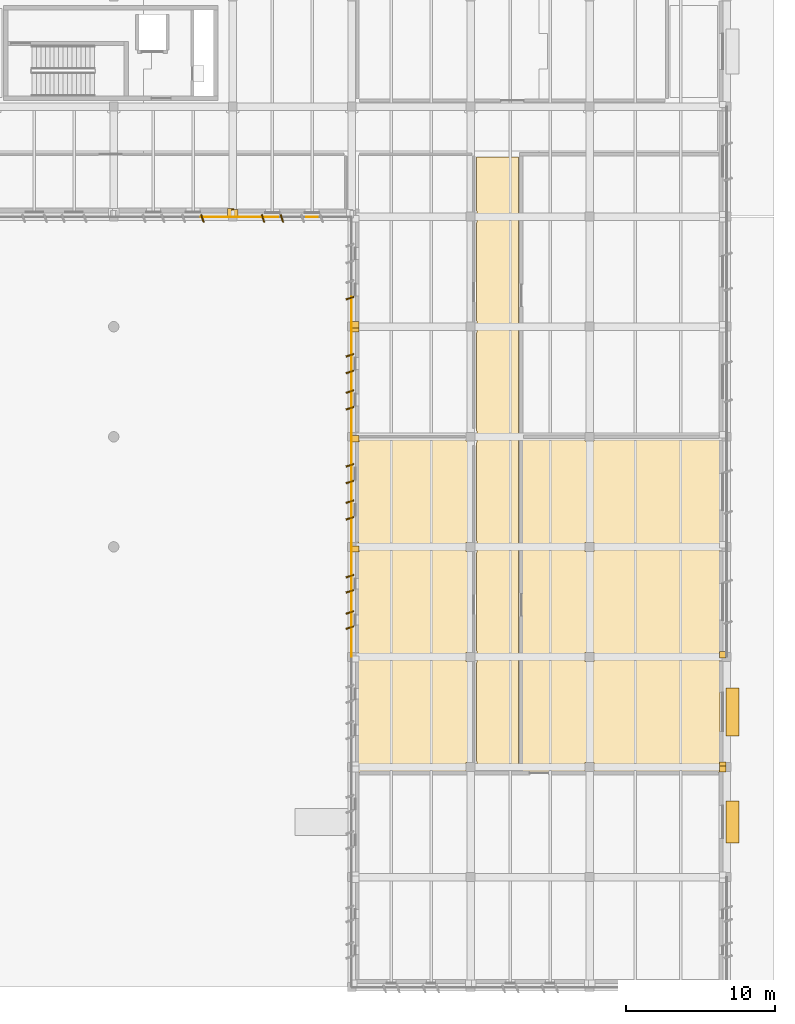
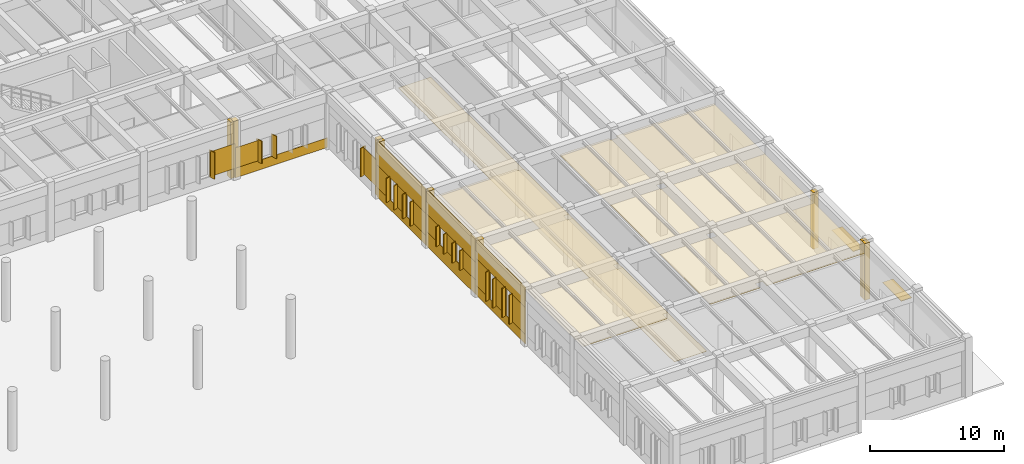
# One storey, part 53 of 56: 47 coverings, 2 shading devices.
"""IFC4 building model written with IfcOpenShell, lengths in metres."""

from ifc_helpers import new_model, si_unit, direction, frame, frame_2d, origin, origin_2d, place, context, subcontext, project, spatial, polyline, rectangle, outline, extrude, material, layer, layer_set, type_object, element, save


model = new_model("IFC4")

# Units and contexts
model_context = context("Model", 3, precision=1e-05, world=origin(), true_north=direction((0.0, 1.0)))
body_context = subcontext(model_context, "Body", "Model", "MODEL_VIEW")
ifc_project = project(units=[si_unit("LENGTHUNIT", "METRE"), si_unit("AREAUNIT", "SQUARE_METRE"), si_unit("VOLUMEUNIT", "CUBIC_METRE"), si_unit("PLANEANGLEUNIT", "RADIAN"), si_unit("MASSUNIT", "GRAM", prefix="KILO")], contexts=[model_context])

# Site, building, storey
site_placement = place(None, origin())
site = spatial("IfcSite", under=ifc_project, at=site_placement, CompositionType="ELEMENT")
building_placement = place(site_placement, origin())
building = spatial("IfcBuilding", under=site, at=building_placement, Name="Valkorina Park Police Headquarters", CompositionType="ELEMENT")
storey_placement = place(building_placement, origin())
storey = spatial("IfcBuildingStorey", under=building, at=storey_placement, Name="L01", CompositionType="ELEMENT", Elevation=0.0)

# Coverings
ifc_material_1 = material(Name="Acoustic mineral board")
ifc_layer_1 = layer(ifc_material_1, 0.02490234375)
ifc_layer_set_1 = layer_set([ifc_layer_1], Name="Acoustic mineral board")
covering_type_1 = type_object("IfcCoveringType", Name="COV-CEILING-ACOUST", PredefinedType="CEILING", material=ifc_layer_set_1)
covering_1_placement = place(storey_placement, frame((0.0, 0.0, 4.280029296875)))
element("IfcCovering", 1, at=covering_1_placement, inside=storey, type_object=covering_type_1, Name="Firearms Microscopy Laboratory Acoustic Suspended Ceiling", PredefinedType="CEILING", context=body_context, shape_type="SweptSolid", body=[
    extrude(outline(polyline([(144.95849609375, 37.324462890625), (144.959716796875, 37.332275390625), (144.9599609375, 37.340087890625), (144.9599609375, 44.06005859375), (144.959716796875, 44.06787109375), (144.95849609375, 44.07568359375), (144.95654296875, 44.083251953125), (144.953857421875, 44.090576171875), (144.95068359375, 44.09765625), (144.94921875, 44.10009765625), (144.5, 44.10009765625), (144.5, 44.34912109375), (144.497802734375, 44.3505859375), (144.490478515625, 44.35400390625), (144.483154296875, 44.356689453125), (144.4755859375, 44.3583984375), (144.4677734375, 44.359619140625), (144.4599609375, 44.360107421875), (137.320068359375, 44.360107421875), (137.312255859375, 44.359619140625), (137.304443359375, 44.3583984375), (137.296875, 44.356689453125), (137.289306640625, 44.35400390625), (137.2822265625, 44.3505859375), (137.275634765625, 44.346435546875), (137.269287109375, 44.341796875), (137.263427734375, 44.336669921875), (137.25830078125, 44.330810546875), (137.25341796875, 44.324462890625), (137.24951171875, 44.317626953125), (137.24609375, 44.310546875), (137.243408203125, 44.30322265625), (137.241455078125, 44.295654296875), (137.240478515625, 44.287841796875), (137.239990234375, 44.280029296875), (137.239990234375, 21.919921875), (137.240478515625, 21.912109375), (137.241455078125, 21.904296875), (137.243408203125, 21.896728515625), (137.24609375, 21.889404296875), (137.24951171875, 21.88232421875), (137.25341796875, 21.87548828125), (137.25830078125, 21.869140625), (137.263427734375, 21.86328125), (137.269287109375, 21.858154296875), (137.275634765625, 21.853515625), (137.2822265625, 21.849365234375), (137.289306640625, 21.84619140625), (137.296875, 21.843505859375), (137.304443359375, 21.841552734375), (137.312255859375, 21.84033203125), (137.320068359375, 21.840087890625), (144.4599609375, 21.840087890625), (144.4677734375, 21.84033203125), (144.4755859375, 21.841552734375), (144.483154296875, 21.843505859375), (144.490478515625, 21.84619140625), (144.497802734375, 21.849365234375), (144.50439453125, 21.853515625), (144.5107421875, 21.858154296875), (144.5166015625, 21.86328125), (144.521728515625, 21.869140625), (144.526611328125, 21.87548828125), (144.530517578125, 21.88232421875), (144.533935546875, 21.889404296875), (144.53662109375, 21.896728515625), (144.537353515625, 21.89990234375), (144.5, 21.89990234375), (144.5, 22.5), (144.94921875, 22.5), (144.95068359375, 22.502197265625), (144.953857421875, 22.509521484375), (144.95654296875, 22.516845703125), (144.95849609375, 22.5244140625), (144.959716796875, 22.5322265625), (144.9599609375, 22.5400390625), (144.9599609375, 29.260009765625), (144.959716796875, 29.267822265625), (144.95849609375, 29.275634765625), (144.95654296875, 29.283203125), (144.953857421875, 29.29052734375), (144.95068359375, 29.297607421875), (144.94921875, 29.300048828125), (144.5, 29.300048828125), (144.5, 29.89990234375), (144.94921875, 29.89990234375), (144.95068359375, 29.90234375), (144.953857421875, 29.909423828125), (144.95654296875, 29.916748046875), (144.95849609375, 29.92431640625), (144.959716796875, 29.93212890625), (144.9599609375, 29.93994140625), (144.9599609375, 36.659912109375), (144.959716796875, 36.667724609375), (144.95849609375, 36.675537109375), (144.95654296875, 36.68310546875), (144.953857421875, 36.690673828125), (144.95068359375, 36.69775390625), (144.94921875, 36.699951171875), (144.5, 36.699951171875), (144.5, 37.300048828125), (144.94921875, 37.300048828125), (144.95068359375, 37.30224609375), (144.953857421875, 37.309326171875), (144.95654296875, 37.31689453125), (144.95849609375, 37.324462890625)])), origin(), (0.0, 0.0, 1.0), 0.02490234375),
])
covering_2_placement = place(storey_placement, frame((0.0, 0.0, 4.280029296875)))
element("IfcCovering", 2, at=covering_2_placement, inside=storey, type_object=covering_type_1, Name="High-Density Forensic Evidence Vault 1 Acoustic Suspended Ceiling", PredefinedType="CEILING", context=body_context, shape_type="SweptSolid", body=[
    extrude(outline(polyline([(161.55859375, 21.904296875), (161.5595703125, 21.912109375), (161.56005859375, 21.919921875), (161.56005859375, 44.280029296875), (161.5595703125, 44.287841796875), (161.55859375, 44.295654296875), (161.556640625, 44.30322265625), (161.553955078125, 44.310546875), (161.550537109375, 44.317626953125), (161.54638671875, 44.324462890625), (161.541748046875, 44.330810546875), (161.53662109375, 44.336669921875), (161.53076171875, 44.341796875), (161.5244140625, 44.346435546875), (161.517578125, 44.3505859375), (161.510498046875, 44.35400390625), (161.503173828125, 44.356689453125), (161.49560546875, 44.3583984375), (161.48779296875, 44.359619140625), (161.47998046875, 44.360107421875), (153.139892578125, 44.360107421875), (153.132080078125, 44.359619140625), (153.12451171875, 44.3583984375), (153.11669921875, 44.356689453125), (153.109375, 44.35400390625), (153.102294921875, 44.3505859375), (153.10009765625, 44.34912109375), (153.10009765625, 44.10009765625), (152.5, 44.10009765625), (152.5, 44.34912109375), (152.497802734375, 44.3505859375), (152.490478515625, 44.35400390625), (152.483154296875, 44.356689453125), (152.4755859375, 44.3583984375), (152.4677734375, 44.359619140625), (152.4599609375, 44.360107421875), (148.320068359375, 44.360107421875), (148.312255859375, 44.359619140625), (148.304443359375, 44.3583984375), (148.296875, 44.356689453125), (148.289306640625, 44.35400390625), (148.2822265625, 44.3505859375), (148.275634765625, 44.346435546875), (148.269287109375, 44.341796875), (148.263427734375, 44.336669921875), (148.25830078125, 44.330810546875), (148.25341796875, 44.324462890625), (148.24951171875, 44.317626953125), (148.24609375, 44.310546875), (148.243408203125, 44.30322265625), (148.241455078125, 44.295654296875), (148.240478515625, 44.287841796875), (148.239990234375, 44.280029296875), (148.239990234375, 21.919921875), (148.240478515625, 21.912109375), (148.241455078125, 21.904296875), (148.243408203125, 21.896728515625), (148.24609375, 21.889404296875), (148.24951171875, 21.88232421875), (148.25341796875, 21.87548828125), (148.25830078125, 21.869140625), (148.263427734375, 21.86328125), (148.269287109375, 21.858154296875), (148.275634765625, 21.853515625), (148.2822265625, 21.849365234375), (148.289306640625, 21.84619140625), (148.296875, 21.843505859375), (148.304443359375, 21.841552734375), (148.312255859375, 21.84033203125), (148.320068359375, 21.840087890625), (152.4599609375, 21.840087890625), (152.4677734375, 21.84033203125), (152.4755859375, 21.841552734375), (152.483154296875, 21.843505859375), (152.490478515625, 21.84619140625), (152.497802734375, 21.849365234375), (152.50439453125, 21.853515625), (152.5107421875, 21.858154296875), (152.5166015625, 21.86328125), (152.521728515625, 21.869140625), (152.526611328125, 21.87548828125), (152.530517578125, 21.88232421875), (152.533935546875, 21.889404296875), (152.53662109375, 21.896728515625), (152.537353515625, 21.89990234375), (152.5, 21.89990234375), (152.5, 22.5), (153.10009765625, 22.5), (153.10009765625, 21.89990234375), (153.0625, 21.89990234375), (153.0634765625, 21.896728515625), (153.066162109375, 21.889404296875), (153.0693359375, 21.88232421875), (153.073486328125, 21.87548828125), (153.078125, 21.869140625), (153.08349609375, 21.86328125), (153.089111328125, 21.858154296875), (153.095703125, 21.853515625), (153.102294921875, 21.849365234375), (153.109375, 21.84619140625), (153.11669921875, 21.843505859375), (153.12451171875, 21.841552734375), (153.132080078125, 21.84033203125), (153.139892578125, 21.840087890625), (161.47998046875, 21.840087890625), (161.48779296875, 21.84033203125), (161.49560546875, 21.841552734375), (161.503173828125, 21.843505859375), (161.510498046875, 21.84619140625), (161.517578125, 21.849365234375), (161.5244140625, 21.853515625), (161.53076171875, 21.858154296875), (161.53662109375, 21.86328125), (161.541748046875, 21.869140625), (161.54638671875, 21.87548828125), (161.550537109375, 21.88232421875), (161.553955078125, 21.889404296875), (161.556640625, 21.896728515625), (161.55859375, 21.904296875)]), holes=[polyline([(153.10009765625, 29.300048828125), (152.5, 29.300048828125), (152.5, 29.89990234375), (153.10009765625, 29.89990234375), (153.10009765625, 29.300048828125)]), polyline([(153.10009765625, 36.699951171875), (152.5, 36.699951171875), (152.5, 37.300048828125), (153.10009765625, 37.300048828125), (153.10009765625, 36.699951171875)])]), origin(), (0.0, 0.0, 1.0), 0.02490234375),
])
ifc_material_2 = material(Name="Precast concrete C40/50", Category="concrete")
ifc_layer_2 = layer(ifc_material_2, 0.044921875)
ifc_layer_set_2 = layer_set([ifc_layer_2], Name="Precast concrete C40/50")
covering_type_2 = type_object("IfcCoveringType", Name="COV-CLAD-DOLOMITE", PredefinedType="CLADDING", material=ifc_layer_set_2)
for number, where, z_axis, x_axis, name in (
    (3, (161.75, 29.739990234375, 0.0), (0.0, 0.0, 1.0), (0.0, 1.0, 0.0), "L01 Exterior Joint Closure Pilaster B 0543"),
    (4, (161.75, 22.340087890625, 0.0), (0.0, 0.0, 1.0), (0.0, 1.0, 0.0), "L01 Exterior Joint Closure Pilaster B 0550"),
    (5, (161.75, 22.06005859375, 0.0), (0.0, 0.0, 1.0), (0.0, 1.0, 0.0), "L01 Exterior Joint Closure Pilaster A 0551"),
    (6, (137.050048828125, 36.860107421875, 0.0), (0.0, 0.0, 1.0), (0.0, 1.0, 0.0), "L01 Exterior Joint Closure Pilaster B 0628"),
):
    element("IfcCovering", number, at=place(storey_placement, frame(where, z_axis=z_axis, x_axis=x_axis)), inside=storey, type_object=covering_type_2, Name=name, PredefinedType="CLADDING", context=body_context, shape_type="SweptSolid", body=[
        extrude(rectangle(XDim=0.419921875, YDim=0.449951171875, at=origin_2d()), origin(), (0.0, 0.0, 1.0), 5.155029296875),
    ])
for number, where, z_axis, x_axis, name in (
    (7, (136.679931640625, 31.569580078125, 0.7802734375), (0.0, 0.0, 1.0), (-0.948323655206, -0.317304656405, 0.0), "Slanted 18.5-deg Precast Window Slot Fin 0629"),
    (8, (136.679931640625, 32.589599609375, 0.7802734375), (0.0, 0.0, 1.0), (-0.948323655206, -0.317304656405, 0.0), "Slanted 18.5-deg Precast Window Slot Fin 0630"),
    (9, (136.679931640625, 34.010498046875, 0.7802734375), (0.0, 0.0, 1.0), (-0.948323655206, -0.317304656405, 0.0), "Slanted 18.5-deg Precast Window Slot Fin 0631"),
    (10, (136.679931640625, 35.030517578125, 0.7802734375), (0.0, 0.0, 1.0), (-0.948323655206, -0.317304656405, 0.0), "Slanted 18.5-deg Precast Window Slot Fin 0632"),
):
    element("IfcCovering", number, at=place(storey_placement, frame(where, z_axis=z_axis, x_axis=x_axis)), inside=storey, type_object=covering_type_2, Name=name, PredefinedType="CLADDING", context=body_context, shape_type="SweptSolid", body=[
        extrude(rectangle(XDim=0.5400390625, YDim=0.090087890625, at=origin_2d()), origin(), (0.0, 0.0, 1.0), 2.639892578125),
    ])
covering_3_placement = place(storey_placement, frame((136.784912109375, 29.6201171875, 0.0), z_axis=(0.0, 0.0, 1.0), x_axis=(0.0, 1.0, 0.0)))
element("IfcCovering", 11, at=covering_3_placement, inside=storey, type_object=covering_type_2, Name="L01 Calm Concrete Base Sill Spandrel 0633", PredefinedType="CLADDING", context=body_context, shape_type="SweptSolid", body=[
    extrude(rectangle(XDim=7.35986328125, YDim=0.044921875, at=frame_2d((3.679931640625, 0.0))), origin(), (0.0, 0.0, 1.0), 0.8701171875),
])
covering_4_placement = place(storey_placement, frame((136.784912109375, 29.6201171875, 3.330078125), z_axis=(0.0, 0.0, 1.0), x_axis=(0.0, 1.0, 0.0)))
element("IfcCovering", 12, at=covering_4_placement, inside=storey, type_object=covering_type_2, Name="L01 Calm Concrete Base Lintel Spandrel 0634", PredefinedType="CLADDING", context=body_context, shape_type="SweptSolid", body=[
    extrude(rectangle(XDim=7.35986328125, YDim=0.044921875, at=frame_2d((3.679931640625, 0.0))), origin(), (0.0, 0.0, 1.0), 1.824951171875),
])
covering_5_placement = place(storey_placement, frame((136.784912109375, 29.6201171875, 0.8701171875), z_axis=(0.0, 0.0, 1.0), x_axis=(0.0, 1.0, 0.0)))
element("IfcCovering", 13, at=covering_5_placement, inside=storey, type_object=covering_type_2, Name="L01 Calm Concrete Base Slot Pier 0635", PredefinedType="CLADDING", context=body_context, shape_type="SweptSolid", body=[
    extrude(rectangle(XDim=2.0595703125, YDim=0.044921875, at=frame_2d((1.02978515625, 0.0))), origin(), (0.0, 0.0, 1.0), 2.4599609375),
])
covering_6_placement = place(storey_placement, frame((136.784912109375, 32.4794921875, 0.8701171875), z_axis=(0.0, 0.0, 1.0), x_axis=(0.0, 1.0, 0.0)))
element("IfcCovering", 14, at=covering_6_placement, inside=storey, type_object=covering_type_2, Name="L01 Calm Concrete Base Slot Pier 0636", PredefinedType="CLADDING", context=body_context, shape_type="SweptSolid", body=[
    extrude(rectangle(XDim=1.640869140625, YDim=0.044921875, at=frame_2d((0.8203125, 0.0))), origin(), (0.0, 0.0, 1.0), 2.4599609375),
])
covering_7_placement = place(storey_placement, frame((136.784912109375, 34.92041015625, 0.8701171875), z_axis=(0.0, 0.0, 1.0), x_axis=(0.0, 1.0, 0.0)))
element("IfcCovering", 15, at=covering_7_placement, inside=storey, type_object=covering_type_2, Name="L01 Calm Concrete Base Slot Pier 0637", PredefinedType="CLADDING", context=body_context, shape_type="SweptSolid", body=[
    extrude(rectangle(XDim=2.0595703125, YDim=0.044921875, at=frame_2d((1.02978515625, 0.0))), origin(), (0.0, 0.0, 1.0), 2.4599609375),
])
covering_8_placement = place(storey_placement, frame((137.050048828125, 44.260009765625, 0.0), z_axis=(0.0, 0.0, 1.0), x_axis=(0.0, 1.0, 0.0)))
element("IfcCovering", 16, at=covering_8_placement, inside=storey, type_object=covering_type_2, Name="L01 Exterior Joint Closure Pilaster B 0638", PredefinedType="CLADDING", context=body_context, shape_type="SweptSolid", body=[
    extrude(rectangle(XDim=0.419921875, YDim=0.449951171875, at=origin_2d()), origin(), (0.0, 0.0, 1.0), 5.155029296875),
])
for number, where, z_axis, x_axis, name in (
    (17, (136.679931640625, 38.919677734375, 1.22998046875), (0.0, 0.0, 1.0), (-0.948323655206, -0.317304656405, 0.0), "Slanted 18.5-deg Precast Window Slot Fin 0639"),
    (18, (136.679931640625, 40.03955078125, 1.22998046875), (0.0, 0.0, 1.0), (-0.948323655206, -0.317304656405, 0.0), "Slanted 18.5-deg Precast Window Slot Fin 0640"),
    (19, (136.679931640625, 41.3603515625, 1.22998046875), (0.0, 0.0, 1.0), (-0.948323655206, -0.317304656405, 0.0), "Slanted 18.5-deg Precast Window Slot Fin 0641"),
    (20, (136.679931640625, 42.48046875, 1.22998046875), (0.0, 0.0, 1.0), (-0.948323655206, -0.317304656405, 0.0), "Slanted 18.5-deg Precast Window Slot Fin 0642"),
):
    element("IfcCovering", number, at=place(storey_placement, frame(where, z_axis=z_axis, x_axis=x_axis)), inside=storey, type_object=covering_type_2, Name=name, PredefinedType="CLADDING", context=body_context, shape_type="SweptSolid", body=[
        extrude(rectangle(XDim=0.5400390625, YDim=0.090087890625, at=origin_2d()), origin(), (0.0, 0.0, 1.0), 1.7900390625),
    ])
covering_9_placement = place(storey_placement, frame((136.784912109375, 37.02001953125, 0.0), z_axis=(0.0, 0.0, 1.0), x_axis=(0.0, 1.0, 0.0)))
element("IfcCovering", 21, at=covering_9_placement, inside=storey, type_object=covering_type_2, Name="L01 Calm Concrete Base Sill Spandrel 0643", PredefinedType="CLADDING", context=body_context, shape_type="SweptSolid", body=[
    extrude(rectangle(XDim=7.35986328125, YDim=0.044921875, at=frame_2d((3.679931640625, 0.0))), origin(), (0.0, 0.0, 1.0), 1.320068359375),
])
covering_10_placement = place(storey_placement, frame((136.784912109375, 37.02001953125, 2.929931640625), z_axis=(0.0, 0.0, 1.0), x_axis=(0.0, 1.0, 0.0)))
element("IfcCovering", 22, at=covering_10_placement, inside=storey, type_object=covering_type_2, Name="L01 Calm Concrete Base Lintel Spandrel 0644", PredefinedType="CLADDING", context=body_context, shape_type="SweptSolid", body=[
    extrude(rectangle(XDim=7.35986328125, YDim=0.044921875, at=frame_2d((3.679931640625, 0.0))), origin(), (0.0, 0.0, 1.0), 2.22509765625),
])
covering_11_placement = place(storey_placement, frame((136.784912109375, 37.02001953125, 1.320068359375), z_axis=(0.0, 0.0, 1.0), x_axis=(0.0, 1.0, 0.0)))
element("IfcCovering", 23, at=covering_11_placement, inside=storey, type_object=covering_type_2, Name="L01 Calm Concrete Base Slot Pier 0645", PredefinedType="CLADDING", context=body_context, shape_type="SweptSolid", body=[
    extrude(rectangle(XDim=2.009521484375, YDim=0.044921875, at=frame_2d((1.0048828125, 0.0))), origin(), (0.0, 0.0, 1.0), 1.60986328125),
])
covering_12_placement = place(storey_placement, frame((136.784912109375, 39.9296875, 1.320068359375), z_axis=(0.0, 0.0, 1.0), x_axis=(0.0, 1.0, 0.0)))
element("IfcCovering", 24, at=covering_12_placement, inside=storey, type_object=covering_type_2, Name="L01 Calm Concrete Base Slot Pier 0646", PredefinedType="CLADDING", context=body_context, shape_type="SweptSolid", body=[
    extrude(rectangle(XDim=1.540771484375, YDim=0.044921875, at=frame_2d((0.7705078125, 0.0))), origin(), (0.0, 0.0, 1.0), 1.60986328125),
])
covering_13_placement = place(storey_placement, frame((136.784912109375, 42.370361328125, 1.320068359375), z_axis=(0.0, 0.0, 1.0), x_axis=(0.0, 1.0, 0.0)))
element("IfcCovering", 25, at=covering_13_placement, inside=storey, type_object=covering_type_2, Name="L01 Calm Concrete Base Slot Pier 0647", PredefinedType="CLADDING", context=body_context, shape_type="SweptSolid", body=[
    extrude(rectangle(XDim=2.009521484375, YDim=0.044921875, at=frame_2d((1.0048828125, 0.0))), origin(), (0.0, 0.0, 1.0), 1.60986328125),
])
covering_14_placement = place(storey_placement, frame((137.050048828125, 51.659912109375, 0.0), z_axis=(0.0, 0.0, 1.0), x_axis=(0.0, 1.0, 0.0)))
element("IfcCovering", 26, at=covering_14_placement, inside=storey, type_object=covering_type_2, Name="L01 Exterior Joint Closure Pilaster B 0648", PredefinedType="CLADDING", context=body_context, shape_type="SweptSolid", body=[
    extrude(rectangle(XDim=0.419921875, YDim=0.449951171875, at=origin_2d()), origin(), (0.0, 0.0, 1.0), 5.155029296875),
])
for number, where, z_axis, x_axis, name in (
    (27, (136.679931640625, 46.319580078125, 0.780029296875), (0.0, 0.0, 1.0), (-0.948323655206, -0.317304656405, 0.0), "Slanted 18.5-deg Precast Window Slot Fin 0649"),
    (28, (136.679931640625, 47.439697265625, 0.780029296875), (0.0, 0.0, 1.0), (-0.948323655206, -0.317304656405, 0.0), "Slanted 18.5-deg Precast Window Slot Fin 0650"),
    (29, (136.679931640625, 48.760498046875, 0.780029296875), (0.0, 0.0, 1.0), (-0.948323655206, -0.317304656405, 0.0), "Slanted 18.5-deg Precast Window Slot Fin 0651"),
    (30, (136.679931640625, 49.88037109375, 0.780029296875), (0.0, 0.0, 1.0), (-0.948323655206, -0.317304656405, 0.0), "Slanted 18.5-deg Precast Window Slot Fin 0652"),
):
    element("IfcCovering", number, at=place(storey_placement, frame(where, z_axis=z_axis, x_axis=x_axis)), inside=storey, type_object=covering_type_2, Name=name, PredefinedType="CLADDING", context=body_context, shape_type="SweptSolid", body=[
        extrude(rectangle(XDim=0.5400390625, YDim=0.090087890625, at=origin_2d()), origin(), (0.0, 0.0, 1.0), 2.18994140625),
    ])
covering_15_placement = place(storey_placement, frame((136.784912109375, 44.419921875, 0.0), z_axis=(0.0, 0.0, 1.0), x_axis=(0.0, 1.0, 0.0)))
element("IfcCovering", 31, at=covering_15_placement, inside=storey, type_object=covering_type_2, Name="L01 Calm Concrete Base Sill Spandrel 0653", PredefinedType="CLADDING", context=body_context, shape_type="SweptSolid", body=[
    extrude(rectangle(XDim=7.360107421875, YDim=0.044921875, at=frame_2d((3.68017578125, 0.0))), origin(), (0.0, 0.0, 1.0), 0.8701171875),
])
covering_16_placement = place(storey_placement, frame((136.784912109375, 44.419921875, 2.8798828125), z_axis=(0.0, 0.0, 1.0), x_axis=(0.0, 1.0, 0.0)))
element("IfcCovering", 32, at=covering_16_placement, inside=storey, type_object=covering_type_2, Name="L01 Calm Concrete Base Lintel Spandrel 0654", PredefinedType="CLADDING", context=body_context, shape_type="SweptSolid", body=[
    extrude(rectangle(XDim=7.360107421875, YDim=0.044921875, at=frame_2d((3.68017578125, 0.0))), origin(), (0.0, 0.0, 1.0), 2.275146484375),
])
covering_17_placement = place(storey_placement, frame((136.784912109375, 44.419921875, 0.8701171875), z_axis=(0.0, 0.0, 1.0), x_axis=(0.0, 1.0, 0.0)))
element("IfcCovering", 33, at=covering_17_placement, inside=storey, type_object=covering_type_2, Name="L01 Calm Concrete Base Slot Pier 0655", PredefinedType="CLADDING", context=body_context, shape_type="SweptSolid", body=[
    extrude(rectangle(XDim=2.009765625, YDim=0.044921875, at=frame_2d((1.0048828125, 0.0))), origin(), (0.0, 0.0, 1.0), 2.009765625),
])
covering_18_placement = place(storey_placement, frame((136.784912109375, 47.32958984375, 0.8701171875), z_axis=(0.0, 0.0, 1.0), x_axis=(0.0, 1.0, 0.0)))
element("IfcCovering", 34, at=covering_18_placement, inside=storey, type_object=covering_type_2, Name="L01 Calm Concrete Base Slot Pier 0656", PredefinedType="CLADDING", context=body_context, shape_type="SweptSolid", body=[
    extrude(rectangle(XDim=1.540771484375, YDim=0.044921875, at=frame_2d((0.7705078125, 0.0))), origin(), (0.0, 0.0, 1.0), 2.009765625),
])
covering_19_placement = place(storey_placement, frame((136.784912109375, 49.7705078125, 0.8701171875), z_axis=(0.0, 0.0, 1.0), x_axis=(0.0, 1.0, 0.0)))
element("IfcCovering", 35, at=covering_19_placement, inside=storey, type_object=covering_type_2, Name="L01 Calm Concrete Base Slot Pier 0657", PredefinedType="CLADDING", context=body_context, shape_type="SweptSolid", body=[
    extrude(rectangle(XDim=2.009521484375, YDim=0.044921875, at=frame_2d((1.0048828125, 0.0))), origin(), (0.0, 0.0, 1.0), 2.009765625),
])
covering_20_placement = place(storey_placement, frame((137.050048828125, 51.93994140625, 0.0), z_axis=(0.0, 0.0, 1.0), x_axis=(0.0, 1.0, 0.0)))
element("IfcCovering", 36, at=covering_20_placement, inside=storey, type_object=covering_type_2, Name="L01 Exterior Joint Closure Pilaster A 0658", PredefinedType="CLADDING", context=body_context, shape_type="SweptSolid", body=[
    extrude(rectangle(XDim=0.419921875, YDim=0.449951171875, at=origin_2d()), origin(), (0.0, 0.0, 1.0), 5.155029296875),
])
covering_21_placement = place(storey_placement, frame((136.679931640625, 53.719482421875, 0.77978515625), z_axis=(0.0, 0.0, 1.0), x_axis=(-0.948323655206, -0.317304656405, 0.0)))
element("IfcCovering", 37, at=covering_21_placement, inside=storey, type_object=covering_type_2, Name="Slanted 18.5-deg Precast Window Slot Fin 0660", PredefinedType="CLADDING", context=body_context, shape_type="SweptSolid", body=[
    extrude(rectangle(XDim=0.5400390625, YDim=0.090087890625, at=origin_2d()), origin(), (0.0, 0.0, 1.0), 2.590087890625),
])
covering_22_placement = place(storey_placement, frame((136.784912109375, 51.820068359375, 0.8701171875), z_axis=(0.0, 0.0, 1.0), x_axis=(0.0, 1.0, 0.0)))
element("IfcCovering", 38, at=covering_22_placement, inside=storey, type_object=covering_type_2, Name="L01 Calm Concrete Base Slot Pier 0666", PredefinedType="CLADDING", context=body_context, shape_type="SweptSolid", body=[
    extrude(rectangle(XDim=2.009521484375, YDim=0.044921875, at=frame_2d((1.0048828125, 0.0))), origin(), (0.0, 0.0, 1.0), 2.409912109375),
])
covering_23_placement = place(storey_placement, frame((128.93994140625, 59.449951171875, 0.0), z_axis=(0.0, 0.0, 1.0), x_axis=(1.0, 0.0, 0.0)))
element("IfcCovering", 39, at=covering_23_placement, inside=storey, type_object=covering_type_2, Name="L01 Exterior Joint Closure Pilaster B 0670", PredefinedType="CLADDING", context=body_context, shape_type="SweptSolid", body=[
    extrude(rectangle(XDim=0.419921875, YDim=0.449951171875, at=origin_2d()), origin(), (0.0, 0.0, 1.0), 5.139892578125),
])
for number, where, z_axis, x_axis, name in (
    (40, (132.106689453125, 59.080078125, 0.780029296875), (0.0, 0.0, 1.0), (0.317304656405, -0.948323655206, 0.0), "Slanted 18.5-deg Precast Window Slot Fin 0673"),
    (41, (130.836669921875, 59.080078125, 0.780029296875), (0.0, 0.0, 1.0), (0.317304656405, -0.948323655206, 0.0), "Slanted 18.5-deg Precast Window Slot Fin 0674"),
):
    element("IfcCovering", number, at=place(storey_placement, frame(where, z_axis=z_axis, x_axis=x_axis)), inside=storey, type_object=covering_type_2, Name=name, PredefinedType="CLADDING", context=body_context, shape_type="SweptSolid", body=[
        extrude(rectangle(XDim=0.5400390625, YDim=0.090087890625, at=origin_2d()), origin(), (0.0, 0.0, 1.0), 2.0400390625),
    ])
covering_24_placement = place(storey_placement, frame((136.780029296875, 59.18505859375, 0.0), z_axis=(0.0, 0.0, 1.0), x_axis=(-1.0, 0.0, 0.0)))
element("IfcCovering", 42, at=covering_24_placement, inside=storey, type_object=covering_type_2, Name="L01 Calm Concrete Base Sill Spandrel 0675", PredefinedType="CLADDING", context=body_context, shape_type="SweptSolid", body=[
    extrude(rectangle(XDim=7.9599609375, YDim=0.044921875, at=frame_2d((3.97998046875, 0.0))), origin(), (0.0, 0.0, 1.0), 0.8701171875),
])
covering_25_placement = place(storey_placement, frame((130.946533203125, 59.18505859375, 0.8701171875), z_axis=(0.0, 0.0, 1.0), x_axis=(-1.0, 0.0, 0.0)))
element("IfcCovering", 43, at=covering_25_placement, inside=storey, type_object=covering_type_2, Name="L01 Calm Concrete Base Slot Pier 0679", PredefinedType="CLADDING", context=body_context, shape_type="SweptSolid", body=[
    extrude(rectangle(XDim=2.12646484375, YDim=0.044921875, at=frame_2d((1.063232421875, 0.0))), origin(), (0.0, 0.0, 1.0), 1.85986328125),
])
covering_26_placement = place(storey_placement, frame((128.659912109375, 59.489990234375, 0.0), z_axis=(0.0, 0.0, 1.0), x_axis=(1.0, 0.0, 0.0)))
element("IfcCovering", 44, at=covering_26_placement, inside=storey, type_object=covering_type_2, Name="L01 Exterior Joint Closure Pilaster A 0680", PredefinedType="CLADDING", context=body_context, shape_type="SweptSolid", body=[
    extrude(rectangle(XDim=0.419921875, YDim=0.52197265625, at=origin_2d()), origin(), (0.0, 0.0, 1.0), 5.139892578125),
])
covering_27_placement = place(storey_placement, frame((126.763427734375, 59.080078125, 0.780029296875), z_axis=(0.0, 0.0, 1.0), x_axis=(0.317304656405, -0.948323655206, 0.0)))
element("IfcCovering", 45, at=covering_27_placement, inside=storey, type_object=covering_type_2, Name="Slanted 18.5-deg Precast Window Slot Fin 0682", PredefinedType="CLADDING", context=body_context, shape_type="SweptSolid", body=[
    extrude(rectangle(XDim=0.5400390625, YDim=0.090087890625, at=origin_2d()), origin(), (0.0, 0.0, 1.0), 2.43994140625),
])
covering_28_placement = place(storey_placement, frame((128.780029296875, 59.18505859375, 0.8701171875), z_axis=(0.0, 0.0, 1.0), x_axis=(-1.0, 0.0, 0.0)))
element("IfcCovering", 46, at=covering_28_placement, inside=storey, type_object=covering_type_2, Name="L01 Calm Concrete Base Slot Pier 0688", PredefinedType="CLADDING", context=body_context, shape_type="SweptSolid", body=[
    extrude(rectangle(XDim=2.126708984375, YDim=0.044921875, at=frame_2d((1.0634765625, 0.0))), origin(), (0.0, 0.0, 1.0), 2.259765625),
])
ifc_material_3 = material(Name="Resin terrazzo flooring")
ifc_layer_3 = layer(ifc_material_3, 0.030029296875)
ifc_layer_set_3 = layer_set([ifc_layer_3], Name="Resin terrazzo flooring")
covering_type_3 = type_object("IfcCoveringType", Name="COV-FLOOR-TERRAZZO", PredefinedType="FLOORING", material=ifc_layer_set_3)
covering_29_placement = place(storey_placement, origin())
element("IfcCovering", 47, at=covering_29_placement, inside=storey, type_object=covering_type_3, Name="Forensic Wing Laboratory Corridor Terrazzo Flooring", PredefinedType="FLOORING", context=body_context, shape_type="SweptSolid", body=[
    extrude(outline(polyline([(145.201904296875, 22.5908203125), (145.20654296875, 22.58447265625), (145.210693359375, 22.57763671875), (145.2138671875, 22.570556640625), (145.216552734375, 22.563232421875), (145.218505859375, 22.5556640625), (145.219482421875, 22.5478515625), (145.219970703125, 22.5400390625), (145.219970703125, 22.0), (148.0, 22.0), (148.0, 63.199951171875), (145.199951171875, 63.199951171875), (145.199951171875, 59.5927734375), (145.201904296875, 59.5908203125), (145.20654296875, 59.58447265625), (145.210693359375, 59.57763671875), (145.2138671875, 59.570556640625), (145.216552734375, 59.563232421875), (145.218505859375, 59.5556640625), (145.219482421875, 59.5478515625), (145.219970703125, 59.5400390625), (145.219970703125, 58.860107421875), (145.219482421875, 58.852294921875), (145.218505859375, 58.844482421875), (145.216552734375, 58.8369140625), (145.2138671875, 58.829345703125), (145.210693359375, 58.822265625), (145.20654296875, 58.815673828125), (145.201904296875, 58.80908203125), (145.199951171875, 58.80712890625), (145.199951171875, 52.19287109375), (145.201904296875, 52.19091796875), (145.20654296875, 52.184326171875), (145.210693359375, 52.177734375), (145.2138671875, 52.170654296875), (145.216552734375, 52.1630859375), (145.218505859375, 52.155517578125), (145.219482421875, 52.147705078125), (145.219970703125, 52.139892578125), (145.219970703125, 51.4599609375), (145.219482421875, 51.4521484375), (145.218505859375, 51.4443359375), (145.216552734375, 51.436767578125), (145.2138671875, 51.429443359375), (145.210693359375, 51.42236328125), (145.20654296875, 51.41552734375), (145.201904296875, 51.4091796875), (145.199951171875, 51.4072265625), (145.199951171875, 44.792724609375), (145.201904296875, 44.790771484375), (145.20654296875, 44.784423828125), (145.210693359375, 44.777587890625), (145.2138671875, 44.7705078125), (145.216552734375, 44.76318359375), (145.218505859375, 44.755615234375), (145.219482421875, 44.747802734375), (145.219970703125, 44.739990234375), (145.219970703125, 44.06005859375), (145.219482421875, 44.05224609375), (145.218505859375, 44.04443359375), (145.216552734375, 44.036865234375), (145.2138671875, 44.029296875), (145.210693359375, 44.022216796875), (145.20654296875, 44.015625), (145.201904296875, 44.00927734375), (145.199951171875, 44.007080078125), (145.199951171875, 37.392822265625), (145.201904296875, 37.390869140625), (145.20654296875, 37.384521484375), (145.210693359375, 37.377685546875), (145.2138671875, 37.37060546875), (145.216552734375, 37.36328125), (145.218505859375, 37.355712890625), (145.219482421875, 37.347900390625), (145.219970703125, 37.340087890625), (145.219970703125, 36.659912109375), (145.219482421875, 36.652099609375), (145.218505859375, 36.644287109375), (145.216552734375, 36.63671875), (145.2138671875, 36.62939453125), (145.210693359375, 36.622314453125), (145.20654296875, 36.615478515625), (145.201904296875, 36.609130859375), (145.199951171875, 36.607177734375), (145.199951171875, 29.992919921875), (145.201904296875, 29.99072265625), (145.20654296875, 29.984375), (145.210693359375, 29.977783203125), (145.2138671875, 29.970703125), (145.216552734375, 29.963134765625), (145.218505859375, 29.95556640625), (145.219482421875, 29.94775390625), (145.219970703125, 29.93994140625), (145.219970703125, 29.260009765625), (145.219482421875, 29.252197265625), (145.218505859375, 29.244384765625), (145.216552734375, 29.23681640625), (145.2138671875, 29.2294921875), (145.210693359375, 29.222412109375), (145.20654296875, 29.215576171875), (145.201904296875, 29.209228515625), (145.199951171875, 29.207275390625), (145.199951171875, 22.5927734375), (145.201904296875, 22.5908203125)])), origin(), (0.0, 0.0, 1.0), 0.030029296875),
])

# Shading devices
ifc_material_4 = material(Name="Polychrome anodized aluminium - Baltic Amber", Category="aluminium")
ifc_layer_4 = layer(ifc_material_4, 0.054931640625)
ifc_layer_set_4 = layer_set([ifc_layer_4], Name="Polychrome anodized aluminium - Baltic Amber")
shading_device_type = type_object("IfcShadingDeviceType", Name="SHD-CANOPY-SUNSHADE", PredefinedType="JALOUSIE", material=ifc_layer_set_4)
shading_device_1_placement = place(storey_placement, frame((162.39990234375, 25.89990234375, 2.79248046875), z_axis=(0.0, 0.0, 1.0), x_axis=(0.0, -1.0, 0.0)))
element("IfcShadingDevice", 48, at=shading_device_1_placement, inside=storey, type_object=shading_device_type, Name="L01 Entrance Canopy Sunshade 012", PredefinedType="JALOUSIE", context=body_context, shape_type="SweptSolid", body=[
    extrude(rectangle(XDim=3.199951171875, YDim=0.89990234375, at=origin_2d()), origin(), (0.0, 0.0, 1.0), 0.054931640625),
])
shading_device_2_placement = place(storey_placement, frame((162.39990234375, 18.5, 2.642578125), z_axis=(0.0, 0.0, 1.0), x_axis=(0.0, -1.0, 0.0)))
element("IfcShadingDevice", 49, at=shading_device_2_placement, inside=storey, type_object=shading_device_type, Name="L01 Entrance Canopy Sunshade 013", PredefinedType="JALOUSIE", context=body_context, shape_type="SweptSolid", body=[
    extrude(rectangle(XDim=2.800048828125, YDim=0.89990234375, at=origin_2d()), origin(), (0.0, 0.0, 1.0), 0.054931640625),
])

save(model, "model.ifc")
